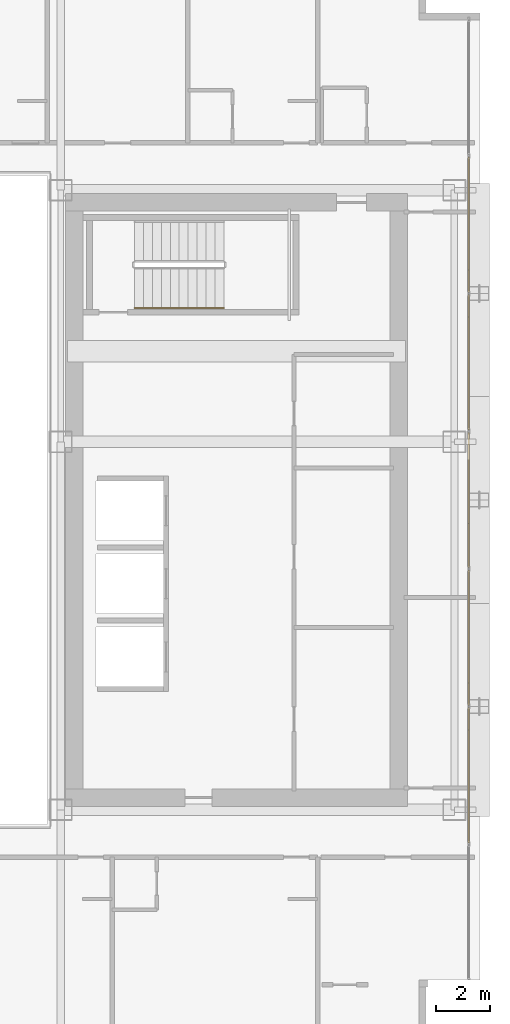
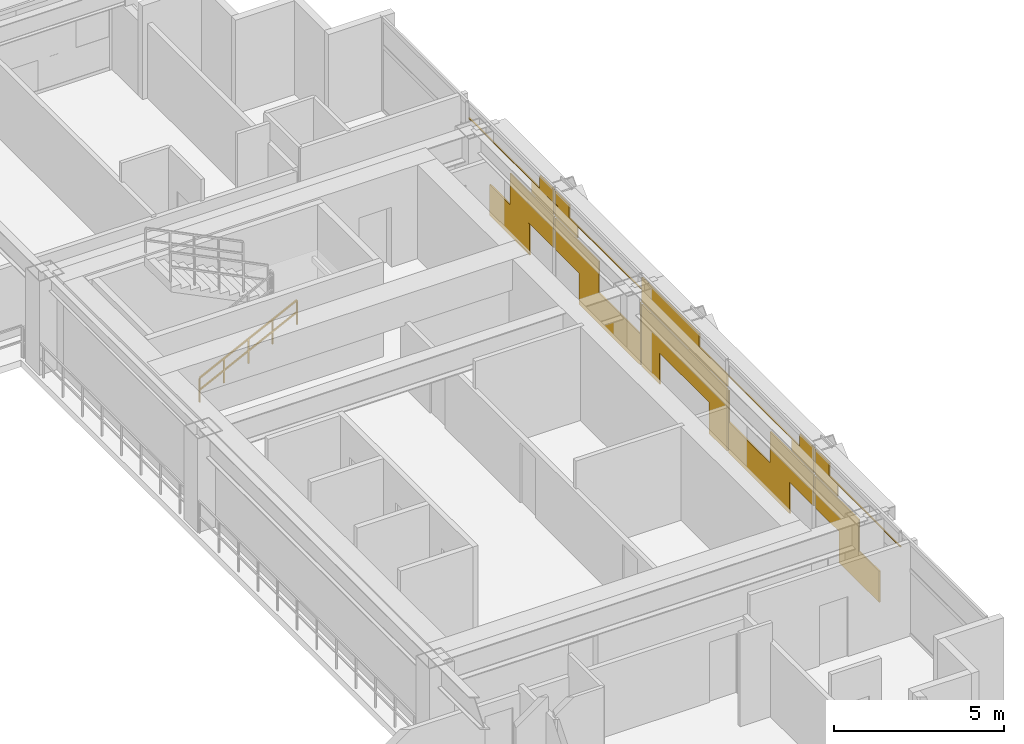
# One storey, part 34 of 35: 1 covering, 1 railing.
"""IFC4 building model written with IfcOpenShell, lengths in metres."""

import ifcopenshell
import ifcopenshell.guid

model = None  # the IFC model being written
_history = None  # IfcOwnerHistory: only IFC2X3 demands one
_inside = {}  # id of a spatial element -> (the spatial element, [elements in it])
_under = {}  # id of a project, library or spatial element -> (it, [spatial elements below it])
_declared = {}  # id of a project -> (the project, [libraries it declares])
_typed = {}  # id of a type object -> (the type object, [elements of that type])
_made_of = {}  # id of a material, layer set ... -> (it, [elements and type objects made of it])


def new_model(schema):
    """Start an empty IFC model of exactly this schema.

    Asked for "IFC4X3", IfcOpenShell would pick the latest addendum, in which some entities
    have other attributes; the version numbers below select the first issue.
    IFC2X3 requires an IfcOwnerHistory on every rooted entity: one is made here for all.
    """
    global model, _history
    if schema == "IFC4X3":
        model = ifcopenshell.file(schema_version=(4, 3, 0, 0))
    else:
        model = ifcopenshell.file(schema=schema)
    _inside.clear()
    _under.clear()
    _declared.clear()
    _typed.clear()
    _made_of.clear()
    _history = None
    if model.schema == "IFC2X3":
        org = make("IfcOrganization", Name="unknown")
        user = make(
            "IfcPersonAndOrganization",
            ThePerson=make("IfcPerson", FamilyName="unknown"),
            TheOrganization=org,
        )
        app = make(
            "IfcApplication",
            ApplicationDeveloper=org,
            Version="unknown",
            ApplicationFullName="unknown",
            ApplicationIdentifier="unknown",
        )
        _history = make(
            "IfcOwnerHistory",
            OwningUser=user,
            OwningApplication=app,
            ChangeAction="ADDED",
            CreationDate=0,
        )
    return model


def make(cls, **values):
    """One entity of the class cls with the attributes given. An attribute that is None is left unset."""
    return model.create_entity(
        cls, **{name: value for name, value in values.items() if value is not None}
    )


def rooted(cls, **values):
    """An entity with a GlobalId (a new one), such as an element, a storey or a relation."""
    return make(cls, GlobalId=ifcopenshell.guid.new(), OwnerHistory=_history, **values)


def si_unit(unit_type, name, prefix=None):
    """IfcSIUnit, for example si_unit("LENGTHUNIT", "METRE", prefix="MILLI")."""
    return make("IfcSIUnit", UnitType=unit_type, Prefix=prefix, Name=name)


def assignment(units):
    """IfcUnitAssignment: the units of a project."""
    return None if units is None else make("IfcUnitAssignment", Units=units)


def point(xyz):
    """IfcCartesianPoint."""
    return None if xyz is None else make("IfcCartesianPoint", Coordinates=xyz)


def direction(xyz):
    """IfcDirection."""
    return None if xyz is None else make("IfcDirection", DirectionRatios=xyz)


def frame(location, z_axis=None, x_axis=None):
    """IfcAxis2Placement3D, a coordinate frame: its origin and axes. An axis left out is left unset."""
    return make(
        "IfcAxis2Placement3D",
        Location=point(location),
        Axis=direction(z_axis),
        RefDirection=direction(x_axis),
    )


def frame_2d(location, x_axis=None):
    """IfcAxis2Placement2D, a coordinate frame in the plane: its origin and x axis."""
    return make(
        "IfcAxis2Placement2D", Location=point(location), RefDirection=direction(x_axis)
    )


def origin():
    """The frame at (0, 0, 0) with its axes left unset."""
    return frame((0.0, 0.0, 0.0))


def origin_2d():
    """The frame at (0, 0) in the plane with its x axis left unset."""
    return frame_2d((0.0, 0.0))


def place(relative_to, where):
    """IfcLocalPlacement: puts the frame where relative to a parent placement (None: the world)."""
    return make(
        "IfcLocalPlacement", PlacementRelTo=relative_to, RelativePlacement=where
    )


def context(
    kind, dimensions, precision=None, world=None, true_north=None, identifier=None
):
    """IfcGeometricRepresentationContext, for example the 3D "Model" context."""
    return make(
        "IfcGeometricRepresentationContext",
        ContextIdentifier=identifier,
        ContextType=kind,
        CoordinateSpaceDimension=dimensions,
        Precision=precision,
        WorldCoordinateSystem=world,
        TrueNorth=true_north,
    )


def subcontext(parent, identifier, kind, view, scale=None):
    """IfcGeometricRepresentationSubContext, for example "Body" below "Model"."""
    return make(
        "IfcGeometricRepresentationSubContext",
        ContextIdentifier=identifier,
        ContextType=kind,
        ParentContext=parent,
        TargetScale=scale,
        TargetView=view,
    )


def project(units=None, contexts=None):
    """IfcProject with its units and contexts."""
    return rooted(
        "IfcProject",
        Name="project",
        RepresentationContexts=contexts,
        UnitsInContext=assignment(units),
    )


def spatial(cls, under=None, at=None, **own):
    """A site, building, storey or space (cls), placed at a placement, below another one or the project."""
    s = rooted(cls, ObjectPlacement=at, **own)
    if under is not None:
        _under.setdefault(under.id(), (under, []))[1].append(s)
    return s


def profile(cls, at=None, kind="AREA", **sizes):
    """A parametric profile (cls). Its sizes go by their IFC names, for example OverallWidth=200.0."""
    return make(cls, ProfileType=kind, Position=at, **sizes)


def rectangle(**sizes):
    """IfcRectangleProfileDef."""
    return profile("IfcRectangleProfileDef", **sizes)


def extrude(swept, where, along, depth):
    """IfcExtrudedAreaSolid: the profile swept, set in the frame where, extruded along a direction by depth."""
    return make(
        "IfcExtrudedAreaSolid",
        SweptArea=swept,
        Position=where,
        ExtrudedDirection=direction(along),
        Depth=depth,
    )


def shape(context_of_items, identifier, shape_type, items):
    """IfcShapeRepresentation: the items that make up one representation, for example the "Body"."""
    return make(
        "IfcShapeRepresentation",
        ContextOfItems=context_of_items,
        RepresentationIdentifier=identifier,
        RepresentationType=shape_type,
        Items=items,
    )


def material(Name=None, Category=None):
    """IfcMaterial."""
    return make("IfcMaterial", Name=Name, Category=Category)


def layer(
    of_material, thickness, ventilated=None, Name=None, Category=None, Priority=None
):
    """IfcMaterialLayer: one layer of a wall or slab, of a material (None: an air gap)."""
    return make(
        "IfcMaterialLayer",
        Material=of_material,
        LayerThickness=thickness,
        IsVentilated=ventilated,
        Name=Name,
        Category=Category,
        Priority=Priority,
    )


def layer_set(layers, Name=None):
    """IfcMaterialLayerSet."""
    return make("IfcMaterialLayerSet", MaterialLayers=layers, LayerSetName=Name)


def made_of(thing, what):
    """Note that an element or type object is made of a material, layer set ...; save() writes the relation."""
    if what is not None:
        _made_of.setdefault(what.id(), (what, []))[1].append(thing)
    return thing


def type_object(cls, material=None, **own):
    """A type object (cls), such as IfcWallType, which elements share."""
    return made_of(rooted(cls, **own), material)


def element(
    cls,
    number,
    at=None,
    inside=None,
    cuts=None,
    type_object=None,
    material=None,
    context=None,
    identifier="Body",
    shape_type=None,
    held_by="IfcProductDefinitionShape",
    body=None,
    shapes=None,
    **own,
):
    """One element of the class cls, such as IfcWall. Its Tag is "e" and its number.

    at: its placement. inside: the storey or other place that contains it. cuts: it is an
    opening in that element (IfcRelVoidsElement). A single representation is given by context,
    identifier, shape_type and body (its items); several are given by shapes. held_by: the class
    of the entity that holds the representations. save() writes the other relations.
    """
    e = rooted(cls, Tag="e%d" % number, ObjectPlacement=at, **own)
    if body is not None:
        shapes = [shape(context, identifier, shape_type, body)]
    if shapes is not None:
        e.Representation = make(held_by, Representations=shapes)
    if inside is not None:
        _inside.setdefault(inside.id(), (inside, []))[1].append(e)
    if cuts is not None:
        rooted(
            "IfcRelVoidsElement", RelatingBuildingElement=cuts, RelatedOpeningElement=e
        )
    if type_object is not None:
        _typed.setdefault(type_object.id(), (type_object, []))[1].append(e)
    return made_of(e, material)


def aggregate(whole, parts):
    """IfcRelAggregates: a whole, such as a stair, and the parts it consists of."""
    return rooted("IfcRelAggregates", RelatingObject=whole, RelatedObjects=parts)


def save(model, path):
    """Write the relations noted so far, then the file.

    IfcRelAggregates (storeys below a building ...), IfcRelContainedInSpatialStructure (elements
    in a storey), IfcRelDefinesByType, IfcRelAssociatesMaterial and IfcRelDeclares: one each for
    every whole, place, type object, material and project.
    """
    for whole, parts in _under.values():
        aggregate(whole, parts)
    for where, things in _inside.values():
        rooted(
            "IfcRelContainedInSpatialStructure",
            RelatedElements=things,
            RelatingStructure=where,
        )
    for kind, things in _typed.values():
        rooted("IfcRelDefinesByType", RelatedObjects=things, RelatingType=kind)
    for what, things in _made_of.values():
        rooted("IfcRelAssociatesMaterial", RelatedObjects=things, RelatingMaterial=what)
    for by, libraries in _declared.values():
        rooted("IfcRelDeclares", RelatingContext=by, RelatedDefinitions=libraries)
    model.write(path)


model = new_model("IFC4")

# Units and contexts
model_context = context("Model", 3, precision=1e-05, world=origin(), true_north=direction((0.0, 1.0)))
body_context = subcontext(model_context, "Body", "Model", "MODEL_VIEW")
ifc_project = project(units=[si_unit("LENGTHUNIT", "METRE"), si_unit("AREAUNIT", "SQUARE_METRE"), si_unit("VOLUMEUNIT", "CUBIC_METRE"), si_unit("PLANEANGLEUNIT", "RADIAN"), si_unit("MASSUNIT", "GRAM", prefix="KILO")], contexts=[model_context])

# Site, building, storey
site_placement = place(None, origin())
site = spatial("IfcSite", under=ifc_project, at=site_placement, CompositionType="ELEMENT")
building_placement = place(site_placement, origin())
building = spatial("IfcBuilding", under=site, at=building_placement, Name="Ocotamira Hotel", CompositionType="ELEMENT")
storey_placement = place(building_placement, frame((0.0, 0.0, 140.39990234375)))
storey = spatial("IfcBuildingStorey", under=building, at=storey_placement, Name="L35", CompositionType="ELEMENT", Elevation=140.39990234375)

# Covering
ifc_material_1 = material(Name="Insulated pale-metal aluminium spandrel panel", Category="aluminium")
ifc_layer = layer(ifc_material_1, 0.044921875)
ifc_layer_set = layer_set([ifc_layer], Name="Insulated pale-metal aluminium spandrel panel")
covering_type = type_object("IfcCoveringType", Name="COV-INFILL-45", PredefinedType="CLADDING", material=ifc_layer_set)
covering_placement = place(storey_placement, origin())
element("IfcCovering", 1, at=covering_placement, inside=storey, type_object=covering_type, Name="L35 Curtain Wall Infill CW-3 CW-L35-E", PredefinedType="CLADDING", context=body_context, shape_type="SweptSolid", body=[
    extrude(rectangle(XDim=2.35107421875, YDim=0.044921875, at=origin_2d()), frame((55.580078125, 15.741943359375, 0.07568359375), z_axis=(0.0, 0.0, 1.0), x_axis=(0.0, 1.0, 0.0)), (0.0, 0.0, 1.0), 1.117919921875),
    extrude(rectangle(XDim=2.578369140625, YDim=0.044921875, at=origin_2d()), frame((55.580078125, 17.041748046875, 1.1943359375), z_axis=(0.0, 0.0, 1.0), x_axis=(0.0, 1.0, 0.0)), (0.0, 0.0, 1.0), 1.117919921875),
    extrude(rectangle(XDim=5.004638671875, YDim=0.044921875, at=origin_2d()), frame((55.580078125, 15.82861328125, 2.802490234375), z_axis=(0.0, 0.0, 1.0), x_axis=(0.0, 1.0, 0.0)), (0.0, 0.0, 1.0), 0.033203125),
    extrude(rectangle(XDim=1.312744140625, YDim=0.044921875, at=origin_2d()), frame((55.580078125, 17.674560546875, 2.38818359375), z_axis=(0.0, 0.0, 1.0), x_axis=(0.0, 1.0, 0.0)), (0.0, 0.0, 1.0), 0.413330078125),
    extrude(rectangle(XDim=0.837158203125, YDim=0.044921875, at=origin_2d()), frame((55.580078125, 17.912353515625, 2.8369140625), z_axis=(0.0, 0.0, 1.0), x_axis=(0.0, 1.0, 0.0)), (0.0, 0.0, 1.0), 0.44775390625),
    extrude(rectangle(XDim=2.568603515625, YDim=0.044921875, at=origin_2d()), frame((55.580078125, 19.6962890625, 1.1943359375), z_axis=(0.0, 0.0, 1.0), x_axis=(0.0, 1.0, 0.0)), (0.0, 0.0, 1.0), 1.117919921875),
    extrude(rectangle(XDim=3.600830078125, YDim=0.044921875, at=origin_2d()), frame((55.580078125, 21.6162109375, 0.07568359375), z_axis=(0.0, 0.0, 1.0), x_axis=(0.0, 1.0, 0.0)), (0.0, 0.0, 1.0), 1.117919921875),
    extrude(rectangle(XDim=0.03076171875, YDim=0.044921875, at=origin_2d()), frame((55.580078125, 23.4013671875, 1.1943359375), z_axis=(0.0, 0.0, 1.0), x_axis=(0.0, 1.0, 0.0)), (0.0, 0.0, 1.0), 1.117919921875),
    extrude(rectangle(XDim=1.302978515625, YDim=0.044921875, at=origin_2d()), frame((55.580078125, 19.0634765625, 2.38818359375), z_axis=(0.0, 0.0, 1.0), x_axis=(0.0, 1.0, 0.0)), (0.0, 0.0, 1.0), 0.413330078125),
    extrude(rectangle(XDim=5.004638671875, YDim=0.044921875, at=origin_2d()), frame((55.580078125, 20.914306640625, 2.802490234375), z_axis=(0.0, 0.0, 1.0), x_axis=(0.0, 1.0, 0.0)), (0.0, 0.0, 1.0), 0.033203125),
    extrude(rectangle(XDim=0.827392578125, YDim=0.044921875, at=origin_2d()), frame((55.580078125, 18.82568359375, 2.8369140625), z_axis=(0.0, 0.0, 1.0), x_axis=(0.0, 1.0, 0.0)), (0.0, 0.0, 1.0), 0.44775390625),
    extrude(rectangle(XDim=1.05322265625, YDim=0.044921875, at=origin_2d()), frame((55.580078125, 24.0244140625, 0.07568359375), z_axis=(0.0, 0.0, 1.0), x_axis=(0.0, 1.0, 0.0)), (0.0, 0.0, 1.0), 1.117919921875),
    extrude(rectangle(XDim=5.004638671875, YDim=0.044921875, at=origin_2d()), frame((55.580078125, 26.0, 1.1943359375), z_axis=(0.0, 0.0, 1.0), x_axis=(0.0, 1.0, 0.0)), (0.0, 0.0, 1.0), 1.117919921875),
    extrude(rectangle(XDim=1.05322265625, YDim=0.044921875, at=origin_2d()), frame((55.580078125, 27.9755859375, 0.07568359375), z_axis=(0.0, 0.0, 1.0), x_axis=(0.0, 1.0, 0.0)), (0.0, 0.0, 1.0), 1.117919921875),
    extrude(rectangle(XDim=5.004638671875, YDim=0.044921875, at=origin_2d()), frame((55.580078125, 26.0, 2.387939453125), z_axis=(0.0, 0.0, 1.0), x_axis=(0.0, 1.0, 0.0)), (0.0, 0.0, 1.0), 0.44775390625),
    extrude(rectangle(XDim=3.375, YDim=0.044921875, at=origin_2d()), frame((55.580078125, 26.814697265625, 2.8369140625), z_axis=(0.0, 0.0, 1.0), x_axis=(0.0, 1.0, 0.0)), (0.0, 0.0, 1.0), 0.44775390625),
    extrude(rectangle(XDim=3.600830078125, YDim=0.044921875, at=origin_2d()), frame((55.580078125, 30.3837890625, 0.07568359375), z_axis=(0.0, 0.0, 1.0), x_axis=(0.0, 1.0, 0.0)), (0.0, 0.0, 1.0), 1.117919921875),
    extrude(rectangle(XDim=0.03076171875, YDim=0.044921875, at=origin_2d()), frame((55.580078125, 28.5986328125, 1.1943359375), z_axis=(0.0, 0.0, 1.0), x_axis=(0.0, 1.0, 0.0)), (0.0, 0.0, 1.0), 1.117919921875),
    extrude(rectangle(XDim=2.568603515625, YDim=0.044921875, at=origin_2d()), frame((55.580078125, 32.3037109375, 1.1943359375), z_axis=(0.0, 0.0, 1.0), x_axis=(0.0, 1.0, 0.0)), (0.0, 0.0, 1.0), 1.117919921875),
    extrude(rectangle(XDim=5.004638671875, YDim=0.044921875, at=origin_2d()), frame((55.580078125, 31.085693359375, 2.802490234375), z_axis=(0.0, 0.0, 1.0), x_axis=(0.0, 1.0, 0.0)), (0.0, 0.0, 1.0), 0.033203125),
    extrude(rectangle(XDim=1.302978515625, YDim=0.044921875, at=origin_2d()), frame((55.580078125, 32.9365234375, 2.38818359375), z_axis=(0.0, 0.0, 1.0), x_axis=(0.0, 1.0, 0.0)), (0.0, 0.0, 1.0), 0.413330078125),
    extrude(rectangle(XDim=0.827392578125, YDim=0.044921875, at=origin_2d()), frame((55.580078125, 33.17431640625, 2.8369140625), z_axis=(0.0, 0.0, 1.0), x_axis=(0.0, 1.0, 0.0)), (0.0, 0.0, 1.0), 0.44775390625),
    extrude(rectangle(XDim=2.578369140625, YDim=0.044921875, at=origin_2d()), frame((55.580078125, 34.958251953125, 1.1943359375), z_axis=(0.0, 0.0, 1.0), x_axis=(0.0, 1.0, 0.0)), (0.0, 0.0, 1.0), 1.117919921875),
    extrude(rectangle(XDim=2.35107421875, YDim=0.044921875, at=origin_2d()), frame((55.580078125, 36.258056640625, 0.07568359375), z_axis=(0.0, 0.0, 1.0), x_axis=(0.0, 1.0, 0.0)), (0.0, 0.0, 1.0), 1.117919921875),
    extrude(rectangle(XDim=1.312744140625, YDim=0.044921875, at=origin_2d()), frame((55.580078125, 34.325439453125, 2.38818359375), z_axis=(0.0, 0.0, 1.0), x_axis=(0.0, 1.0, 0.0)), (0.0, 0.0, 1.0), 0.413330078125),
    extrude(rectangle(XDim=5.004638671875, YDim=0.044921875, at=origin_2d()), frame((55.580078125, 36.17138671875, 2.802490234375), z_axis=(0.0, 0.0, 1.0), x_axis=(0.0, 1.0, 0.0)), (0.0, 0.0, 1.0), 0.033203125),
    extrude(rectangle(XDim=0.837158203125, YDim=0.044921875, at=origin_2d()), frame((55.580078125, 34.087646484375, 2.8369140625), z_axis=(0.0, 0.0, 1.0), x_axis=(0.0, 1.0, 0.0)), (0.0, 0.0, 1.0), 0.44775390625),
])

# Railing
ifc_material_2 = material(Name="Brushed stainless steel handrail", Category="steel")
railing_type = type_object("IfcRailingType", Name="RL-HAND-900", PredefinedType="HANDRAIL", material=ifc_material_2)
railing_placement = place(storey_placement, frame((43.22998046875, 33.10009765625, 0.327392578125)))
element("IfcRailing", 2, at=railing_placement, inside=storey, type_object=railing_type, Name="L35 ST-4 stair handrail 1", PredefinedType="HANDRAIL", context=body_context, shape_type="SweptSolid", body=[
    extrude(rectangle(XDim=0.048095703125, YDim=0.048095703125, at=origin_2d()), frame((0.0, 0.0, 0.8759765625), z_axis=(0.895920123917, 0.0, 0.444215186098), x_axis=(0.0, 1.0, 0.0)), (0.0, 0.0, 1.0), 3.683349609375),
    extrude(rectangle(XDim=0.048095703125, YDim=0.048095703125, at=origin_2d()), frame((0.0, 0.0, 0.449951171875), z_axis=(0.895920123917, 0.0, 0.444215186098), x_axis=(0.0, 1.0, 0.0)), (0.0, 0.0, 1.0), 3.683349609375),
    extrude(rectangle(XDim=0.0419921875, YDim=0.0419921875, at=origin_2d()), origin(), (0.0, 0.0, 1.0), 0.851806640625),
    extrude(rectangle(XDim=0.0419921875, YDim=0.0419921875, at=origin_2d()), frame((0.824951171875, 0.0, 0.4091796875)), (0.0, 0.0, 1.0), 0.851806640625),
    extrude(rectangle(XDim=0.0419921875, YDim=0.0419921875, at=origin_2d()), frame((1.64990234375, 0.0, 0.818115234375)), (0.0, 0.0, 1.0), 0.851806640625),
    extrude(rectangle(XDim=0.0419921875, YDim=0.0419921875, at=origin_2d()), frame((2.47509765625, 0.0, 1.22705078125)), (0.0, 0.0, 1.0), 0.851806640625),
    extrude(rectangle(XDim=0.0419921875, YDim=0.0419921875, at=origin_2d()), frame((3.300048828125, 0.0, 1.63623046875)), (0.0, 0.0, 1.0), 0.851806640625),
])

save(model, "model.ifc")
